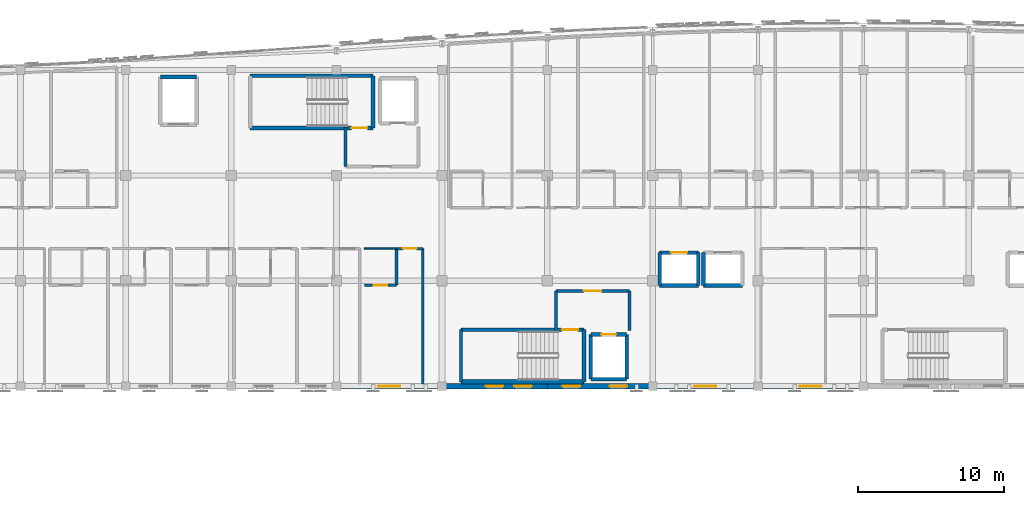
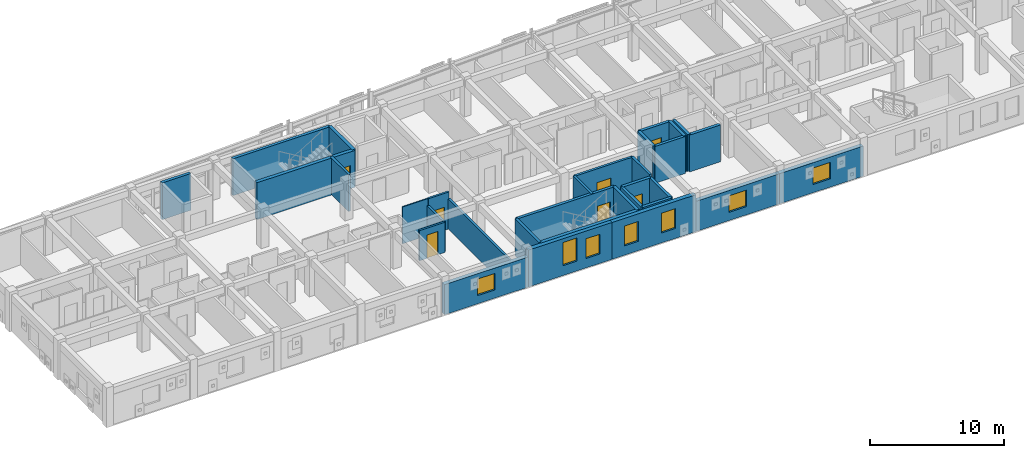
# One storey, part 39 of 50: 32 walls, 7 doors, 7 windows, 14 openings.
"""IFC4 building model written with IfcOpenShell, lengths in metres."""

from ifc_helpers import new_model, si_unit, direction, frame, frame_2d, origin, place, context, subcontext, project, spatial, rectangle, extrude, material, layer, layer_set, type_object, element, fill, save


model = new_model("IFC4")

# Units and contexts
model_context = context("Model", 3, precision=1e-05, world=origin(), true_north=direction((0.0, 1.0)))
body_context = subcontext(model_context, "Body", "Model", "MODEL_VIEW")
ifc_project = project(units=[si_unit("LENGTHUNIT", "METRE"), si_unit("AREAUNIT", "SQUARE_METRE"), si_unit("VOLUMEUNIT", "CUBIC_METRE"), si_unit("PLANEANGLEUNIT", "RADIAN"), si_unit("MASSUNIT", "GRAM", prefix="KILO")], contexts=[model_context])

# Site, building, storey
site_placement = place(None, origin())
site = spatial("IfcSite", under=ifc_project, at=site_placement, CompositionType="ELEMENT")
building_placement = place(site_placement, origin())
building = spatial("IfcBuilding", under=site, at=building_placement, Name="Carrowvane Square Congress Hotel", CompositionType="ELEMENT")
storey_placement = place(building_placement, frame((0.0, 0.0, 22.800048828125)))
storey = spatial("IfcBuildingStorey", under=building, at=storey_placement, Name="L05", CompositionType="ELEMENT", Elevation=22.800048828125)

# Wall, opening, window
ifc_material_1 = material(Name="Glazed terracotta rainscreen", Category="masonry")
ifc_layer_1 = layer(ifc_material_1, 0.360107421875)
ifc_layer_set_1 = layer_set([ifc_layer_1], Name="Glazed terracotta rainscreen")
wall_type_1 = type_object("IfcWallType", Name="WL-EXT-TC360", PredefinedType="STANDARD", material=ifc_layer_set_1)
wall_1_placement = place(storey_placement, frame((98.0, 91.800048828125, 0.0), z_axis=(0.0, 0.0, 1.0), x_axis=(-1.0, 0.0, 0.0)))
wall_1 = element("IfcWall", 1, at=wall_1_placement, inside=storey, type_object=wall_type_1, Name="L05 exterior facade wall 467", PredefinedType="STANDARD", context=body_context, shape_type="SweptSolid", body=[
    extrude(rectangle(XDim=7.199951171875, YDim=0.360107421875, at=frame_2d((3.60009765625, 0.0))), origin(), (0.0, 0.0, 1.0), 2.73486328125),
])
opening_1_placement = place(wall_1_placement, frame((2.85009765625, 0.0, 0.75)))
opening_1 = element("IfcOpeningElement", 2, at=opening_1_placement, cuts=wall_1, Name="Opening W-15", PredefinedType="OPENING", context=body_context, shape_type="SweptSolid", body=[
    extrude(rectangle(XDim=1.5, YDim=1.5, at=frame_2d((0.75, 0.75))), frame((0.0, 0.18994140625, 0.0), z_axis=(0.0, -1.0, 0.0), x_axis=(1.0, 0.0, 0.0)), (0.0, 0.0, 1.0), 0.380126953125),
])
ifc_material_2 = material(Name="Double-glazed low-E glass", Category="glass")
window_type_1 = type_object("IfcWindowType", Name="WIN-15", PartitioningType="SINGLE_PANEL", PredefinedType="WINDOW", material=ifc_material_2)
window_1_placement = place(opening_1_placement, origin())
window_1 = element("IfcWindow", 3, at=window_1_placement, inside=storey, type_object=window_type_1, Name="L05 facade window 298", OverallHeight=1.5, OverallWidth=1.5, PartitioningType="SINGLE_PANEL", PredefinedType="WINDOW", context=body_context, shape_type="SweptSolid", body=[
    extrude(rectangle(XDim=1.5, YDim=1.5, at=frame_2d((0.75, 0.75))), frame((0.0, 0.030029296875, 0.0), z_axis=(0.0, -1.0, 0.0), x_axis=(1.0, 0.0, 0.0)), (0.0, 0.0, 1.0), 0.06005859375),
])
fill(opening_1, window_1)

wall_2_placement = place(storey_placement, frame((90.800048828125, 91.800048828125, 0.0), z_axis=(0.0, 0.0, 1.0), x_axis=(-1.0, 0.0, 0.0)))
wall_2 = element("IfcWall", 4, at=wall_2_placement, inside=storey, type_object=wall_type_1, Name="L05 exterior facade wall 468", PredefinedType="STANDARD", context=body_context, shape_type="SweptSolid", body=[
    extrude(rectangle(XDim=7.199951171875, YDim=0.360107421875, at=frame_2d((3.60009765625, 0.0))), origin(), (0.0, 0.0, 1.0), 2.73486328125),
])
opening_2_placement = place(wall_2_placement, frame((2.85009765625, 0.0, 0.75)))
opening_2 = element("IfcOpeningElement", 5, at=opening_2_placement, cuts=wall_2, Name="Opening W-15", PredefinedType="OPENING", context=body_context, shape_type="SweptSolid", body=[
    extrude(rectangle(XDim=1.5, YDim=1.5, at=frame_2d((0.75, 0.75))), frame((0.0, 0.18994140625, 0.0), z_axis=(0.0, -1.0, 0.0), x_axis=(1.0, 0.0, 0.0)), (0.0, 0.0, 1.0), 0.380126953125),
])
window_2_placement = place(opening_2_placement, origin())
window_2 = element("IfcWindow", 6, at=window_2_placement, inside=storey, type_object=window_type_1, Name="L05 facade window 299", OverallHeight=1.5, OverallWidth=1.5, PartitioningType="SINGLE_PANEL", PredefinedType="WINDOW", context=body_context, shape_type="SweptSolid", body=[
    extrude(rectangle(XDim=1.5, YDim=1.5, at=frame_2d((0.75, 0.75))), frame((0.0, 0.030029296875, 0.0), z_axis=(0.0, -1.0, 0.0), x_axis=(1.0, 0.0, 0.0)), (0.0, 0.0, 1.0), 0.06005859375),
])
fill(opening_2, window_2)

# Wall, openings, windows
wall_3_placement = place(storey_placement, frame((83.60009765625, 91.800048828125, 0.0), z_axis=(0.0, 0.0, 1.0), x_axis=(-1.0, 0.0, 0.0)))
wall_3 = element("IfcWall", 7, at=wall_3_placement, inside=storey, type_object=wall_type_1, Name="L05 exterior facade wall 469", PredefinedType="STANDARD", context=body_context, shape_type="SweptSolid", body=[
    extrude(rectangle(XDim=7.2001953125, YDim=0.360107421875, at=frame_2d((3.60009765625, 0.0))), origin(), (0.0, 0.0, 1.0), 3.349853515625),
])
opening_3_placement = place(wall_3_placement, frame((1.75, 0.0, 0.89990234375)))
opening_3 = element("IfcOpeningElement", 8, at=opening_3_placement, cuts=wall_3, Name="Opening W-01", PredefinedType="OPENING", context=body_context, shape_type="SweptSolid", body=[
    extrude(rectangle(XDim=1.199951171875, YDim=1.800048828125, at=frame_2d((0.60009765625, 0.89990234375))), frame((0.0, 0.18994140625, 0.0), z_axis=(0.0, -1.0, 0.0), x_axis=(1.0, 0.0, 0.0)), (0.0, 0.0, 1.0), 0.380126953125),
])
opening_4_placement = place(wall_3_placement, frame((4.949951171875, 0.0, 0.85009765625)))
opening_4 = element("IfcOpeningElement", 9, at=opening_4_placement, cuts=wall_3, Name="Opening W-01", PredefinedType="OPENING", context=body_context, shape_type="SweptSolid", body=[
    extrude(rectangle(XDim=1.199951171875, YDim=1.800048828125, at=frame_2d((0.60009765625, 0.89990234375))), frame((0.0, 0.18994140625, 0.0), z_axis=(0.0, -1.0, 0.0), x_axis=(1.0, 0.0, 0.0)), (0.0, 0.0, 1.0), 0.380126953125),
])
ifc_material_3 = material(Name="Double-glazed low-E glass", Category="glass")
window_type_2 = type_object("IfcWindowType", Name="WIN-01", PartitioningType="SINGLE_PANEL", PredefinedType="WINDOW", material=ifc_material_3)
window_3_placement = place(opening_3_placement, origin())
window_3 = element("IfcWindow", 10, at=window_3_placement, inside=storey, type_object=window_type_2, Name="L05 facade window 300", OverallHeight=1.800048828125, OverallWidth=1.199951171875, PartitioningType="SINGLE_PANEL", PredefinedType="WINDOW", context=body_context, shape_type="SweptSolid", body=[
    extrude(rectangle(XDim=1.199951171875, YDim=1.800048828125, at=frame_2d((0.60009765625, 0.89990234375))), frame((0.0, 0.030029296875, 0.0), z_axis=(0.0, -1.0, 0.0), x_axis=(1.0, 0.0, 0.0)), (0.0, 0.0, 1.0), 0.06005859375),
])
fill(opening_3, window_3)
window_4_placement = place(opening_4_placement, origin())
window_4 = element("IfcWindow", 11, at=window_4_placement, inside=storey, type_object=window_type_2, Name="L05 guest bedroom window 301", OverallHeight=1.800048828125, OverallWidth=1.199951171875, PartitioningType="SINGLE_PANEL", PredefinedType="WINDOW", context=body_context, shape_type="SweptSolid", body=[
    extrude(rectangle(XDim=1.199951171875, YDim=1.800048828125, at=frame_2d((0.60009765625, 0.89990234375))), frame((0.0, 0.030029296875, 0.0), z_axis=(0.0, -1.0, 0.0), x_axis=(1.0, 0.0, 0.0)), (0.0, 0.0, 1.0), 0.06005859375),
])
fill(opening_4, window_4)

wall_4_placement = place(storey_placement, frame((76.39990234375, 91.800048828125, 0.0), z_axis=(0.0, 0.0, 1.0), x_axis=(-1.0, 0.0, 0.0)))
wall_4 = element("IfcWall", 12, at=wall_4_placement, inside=storey, type_object=wall_type_1, Name="L05 exterior facade wall 470", PredefinedType="STANDARD", context=body_context, shape_type="SweptSolid", body=[
    extrude(rectangle(XDim=7.199951171875, YDim=0.360107421875, at=frame_2d((3.60009765625, 0.0))), origin(), (0.0, 0.0, 1.0), 3.349853515625),
])
opening_5_placement = place(wall_4_placement, frame((3.0, 0.0, 0.89990234375)))
opening_5 = element("IfcOpeningElement", 13, at=opening_5_placement, cuts=wall_4, Name="Opening W-08", PredefinedType="OPENING", context=body_context, shape_type="SweptSolid", body=[
    extrude(rectangle(XDim=1.199951171875, YDim=2.10009765625, at=frame_2d((0.60009765625, 1.050048828125))), frame((0.0, 0.18994140625, 0.0), z_axis=(0.0, -1.0, 0.0), x_axis=(1.0, 0.0, 0.0)), (0.0, 0.0, 1.0), 0.380126953125),
])
opening_6_placement = place(wall_4_placement, frame((1.050048828125, 0.0, 0.85009765625)))
opening_6 = element("IfcOpeningElement", 14, at=opening_6_placement, cuts=wall_4, Name="Opening W-01", PredefinedType="OPENING", context=body_context, shape_type="SweptSolid", body=[
    extrude(rectangle(XDim=1.199951171875, YDim=1.800048828125, at=frame_2d((0.60009765625, 0.89990234375))), frame((0.0, 0.18994140625, 0.0), z_axis=(0.0, -1.0, 0.0), x_axis=(1.0, 0.0, 0.0)), (0.0, 0.0, 1.0), 0.380126953125),
])
window_5_placement = place(opening_6_placement, origin())
window_5 = element("IfcWindow", 15, at=window_5_placement, inside=storey, type_object=window_type_2, Name="L05 guest bedroom window 303", OverallHeight=1.800048828125, OverallWidth=1.199951171875, PartitioningType="SINGLE_PANEL", PredefinedType="WINDOW", context=body_context, shape_type="SweptSolid", body=[
    extrude(rectangle(XDim=1.199951171875, YDim=1.800048828125, at=frame_2d((0.60009765625, 0.89990234375))), frame((0.0, 0.030029296875, 0.0), z_axis=(0.0, -1.0, 0.0), x_axis=(1.0, 0.0, 0.0)), (0.0, 0.0, 1.0), 0.06005859375),
])
fill(opening_6, window_5)
ifc_material_4 = material(Name="Double-glazed low-E glass", Category="glass")
window_type_3 = type_object("IfcWindowType", Name="WIN-08", PartitioningType="SINGLE_PANEL", PredefinedType="WINDOW", material=ifc_material_4)
window_6_placement = place(opening_5_placement, origin())
window_6 = element("IfcWindow", 16, at=window_6_placement, inside=storey, type_object=window_type_3, Name="L05 facade window 302", OverallHeight=2.10009765625, OverallWidth=1.199951171875, PartitioningType="SINGLE_PANEL", PredefinedType="WINDOW", context=body_context, shape_type="SweptSolid", body=[
    extrude(rectangle(XDim=1.199951171875, YDim=2.10009765625, at=frame_2d((0.60009765625, 1.050048828125))), frame((0.0, 0.030029296875, 0.0), z_axis=(0.0, -1.0, 0.0), x_axis=(1.0, 0.0, 0.0)), (0.0, 0.0, 1.0), 0.06005859375),
])
fill(opening_5, window_6)

# Wall, opening, window
wall_5_placement = place(storey_placement, frame((69.199951171875, 91.800048828125, 0.0), z_axis=(0.0, 0.0, 1.0), x_axis=(-1.0, 0.0, 0.0)))
wall_5 = element("IfcWall", 17, at=wall_5_placement, inside=storey, type_object=wall_type_1, Name="L05 exterior facade wall 471", PredefinedType="STANDARD", context=body_context, shape_type="SweptSolid", body=[
    extrude(rectangle(XDim=7.199951171875, YDim=0.360107421875, at=frame_2d((3.60009765625, 0.0))), origin(), (0.0, 0.0, 1.0), 2.73486328125),
])
opening_7_placement = place(wall_5_placement, frame((2.85009765625, 0.0, 0.75)))
opening_7 = element("IfcOpeningElement", 18, at=opening_7_placement, cuts=wall_5, Name="Opening W-15", PredefinedType="OPENING", context=body_context, shape_type="SweptSolid", body=[
    extrude(rectangle(XDim=1.5, YDim=1.5, at=frame_2d((0.75, 0.75))), frame((0.0, 0.18994140625, 0.0), z_axis=(0.0, -1.0, 0.0), x_axis=(1.0, 0.0, 0.0)), (0.0, 0.0, 1.0), 0.380126953125),
])
window_7_placement = place(opening_7_placement, origin())
window_7 = element("IfcWindow", 19, at=window_7_placement, inside=storey, type_object=window_type_1, Name="L05 facade window 305", OverallHeight=1.5, OverallWidth=1.5, PartitioningType="SINGLE_PANEL", PredefinedType="WINDOW", context=body_context, shape_type="SweptSolid", body=[
    extrude(rectangle(XDim=1.5, YDim=1.5, at=frame_2d((0.75, 0.75))), frame((0.0, 0.030029296875, 0.0), z_axis=(0.0, -1.0, 0.0), x_axis=(1.0, 0.0, 0.0)), (0.0, 0.0, 1.0), 0.06005859375),
])
fill(opening_7, window_7)

# Wall, opening, door
ifc_material_5 = material(Name="Acoustic gypsum board", Category="gypsum")
ifc_layer_2 = layer(ifc_material_5, 0.169921875)
ifc_layer_set_2 = layer_set([ifc_layer_2], Name="Acoustic gypsum board")
wall_type_2 = type_object("IfcWallType", Name="WL-FIR-170", PredefinedType="PARTITIONING", material=ifc_layer_set_2)
wall_6_placement = place(storey_placement, frame((66.10009765625, 98.699951171875, 0.0), z_axis=(0.0, 0.0, 1.0), x_axis=(-1.0, 0.0, 0.0)))
wall_6 = element("IfcWall", 20, at=wall_6_placement, inside=storey, type_object=wall_type_2, Name="L05 En-suite Bathroom 0506 partition", PredefinedType="PARTITIONING", context=body_context, shape_type="SweptSolid", body=[
    extrude(rectangle(XDim=2.2001953125, YDim=0.169921875, at=frame_2d((1.10009765625, 0.0))), origin(), (0.0, 0.0, 1.0), 2.73486328125),
])
opening_8_placement = place(wall_6_placement, frame((0.6298828125, 0.0, 0.0)))
opening_8 = element("IfcOpeningElement", 21, at=opening_8_placement, cuts=wall_6, Name="Opening ID-04", PredefinedType="OPENING", context=body_context, shape_type="SweptSolid", body=[
    extrude(rectangle(XDim=0.93994140625, YDim=2.1201171875, at=frame_2d((0.469970703125, 1.06005859375))), frame((0.0, 0.094970703125, 0.0), z_axis=(0.0, -1.0, 0.0), x_axis=(1.0, 0.0, 0.0)), (0.0, 0.0, 1.0), 0.18994140625),
])
ifc_material_6 = material(Name="European oak timber", Category="wood")
door_type_1 = type_object("IfcDoorType", Name="DR-INT-0940x2120", OperationType="NOTDEFINED", PredefinedType="DOOR", material=ifc_material_6)
door_1_placement = place(opening_8_placement, origin())
door_1 = element("IfcDoor", 22, at=door_1_placement, inside=storey, type_object=door_type_1, Name="L05 En-suite Bathroom 0506 door", OperationType="SINGLE_SWING_LEFT", OverallHeight=2.1201171875, OverallWidth=0.93994140625, PredefinedType="DOOR", context=body_context, shape_type="SweptSolid", body=[
    extrude(rectangle(XDim=0.93994140625, YDim=2.1201171875, at=frame_2d((0.469970703125, 1.06005859375))), frame((0.0, 0.02490234375, 0.0), z_axis=(0.0, -1.0, 0.0), x_axis=(1.0, 0.0, 0.0)), (0.0, 0.0, 1.0), 0.050048828125),
])
fill(opening_8, door_1)

wall_7_placement = place(storey_placement, frame((66.110107421875, 101.199951171875, 0.0), z_axis=(0.0, 0.0, 1.0), x_axis=(1.0, 0.0, 0.0)))
wall_7 = element("IfcWall", 23, at=wall_7_placement, inside=storey, type_object=wall_type_2, Name="L05 Hotel Guest Bedroom 0506 partition", PredefinedType="PARTITIONING", context=body_context, shape_type="SweptSolid", body=[
    extrude(rectangle(XDim=1.77978515625, YDim=0.169921875, at=frame_2d((0.889892578125, 0.0))), origin(), (0.0, 0.0, 1.0), 3.349853515625),
])
opening_9_placement = place(wall_7_placement, frame((0.4150390625, 0.0, 0.0)))
opening_9 = element("IfcOpeningElement", 24, at=opening_9_placement, cuts=wall_7, Name="Opening FD-06", PredefinedType="OPENING", context=body_context, shape_type="SweptSolid", body=[
    extrude(rectangle(XDim=0.949951171875, YDim=2.10009765625, at=frame_2d((0.47509765625, 1.050048828125))), frame((0.0, 0.094970703125, 0.0), z_axis=(0.0, -1.0, 0.0), x_axis=(1.0, 0.0, 0.0)), (0.0, 0.0, 1.0), 0.18994140625),
])
ifc_material_7 = material(Name="European oak timber", Category="wood")
door_type_2 = type_object("IfcDoorType", Name="DR-FD30-0950x2100", OperationType="NOTDEFINED", PredefinedType="DOOR", material=ifc_material_7)
door_2_placement = place(opening_9_placement, origin())
door_2 = element("IfcDoor", 25, at=door_2_placement, inside=storey, type_object=door_type_2, Name="L05 Hotel Guest Bedroom 0506 entrance door", OperationType="SINGLE_SWING_RIGHT", OverallHeight=2.10009765625, OverallWidth=0.949951171875, PredefinedType="DOOR", context=body_context, shape_type="SweptSolid", body=[
    extrude(rectangle(XDim=0.949951171875, YDim=2.10009765625, at=frame_2d((0.47509765625, 1.050048828125))), frame((0.0, 0.02490234375, 0.0), z_axis=(0.0, -1.0, 0.0), x_axis=(1.0, 0.0, 0.0)), (0.0, 0.0, 1.0), 0.050048828125),
])
fill(opening_9, door_2)

# Walls
ifc_material_8 = material(Name="Acoustic gypsum board", Category="gypsum")
ifc_layer_3 = layer(ifc_material_8, 0.18505859375)
ifc_layer_set_3 = layer_set([ifc_layer_3], Name="Acoustic gypsum board")
wall_type_3 = type_object("IfcWallType", Name="WL-FIR-185", PredefinedType="PARTITIONING", material=ifc_layer_set_3)
wall_8_placement = place(storey_placement, frame((66.10009765625, 101.199951171875, 0.0), z_axis=(0.0, 0.0, 1.0), x_axis=(0.0, -1.0, 0.0)))
element("IfcWall", 26, at=wall_8_placement, inside=storey, type_object=wall_type_3, Name="L05 En-suite Bathroom 0506 partition", PredefinedType="PARTITIONING", context=body_context, shape_type="SweptSolid", body=[
    extrude(rectangle(XDim=2.5, YDim=0.18505859375, at=frame_2d((1.25, 0.0))), origin(), (0.0, 0.0, 1.0), 2.73486328125),
])
wall_9_placement = place(storey_placement, frame((67.889892578125, 101.199951171875, 0.0), z_axis=(0.0, 0.0, 1.0), x_axis=(0.0, -1.0, 0.0)))
element("IfcWall", 27, at=wall_9_placement, inside=storey, type_object=wall_type_3, Name="L05 Hotel Guest Bedroom 0506 partition", PredefinedType="PARTITIONING", context=body_context, shape_type="SweptSolid", body=[
    extrude(rectangle(XDim=9.239990234375, YDim=0.18505859375, at=frame_2d((4.6201171875, 0.0))), origin(), (0.0, 0.0, 1.0), 2.73486328125),
])
ifc_material_9 = material(Name="Acoustic gypsum board", Category="gypsum")
ifc_layer_4 = layer(ifc_material_9, 0.205078125)
ifc_layer_set_4 = layer_set([ifc_layer_4], Name="Acoustic gypsum board")
wall_type_4 = type_object("IfcWallType", Name="WL-FIR-205", PredefinedType="PARTITIONING", material=ifc_layer_set_4)
for number, where, z_axis, x_axis, name in (
    (28, (62.60009765625, 109.5, 0.0), (0.0, 0.0, 1.0), (0.0, -1.0, 0.0), "L05 Firefighting Lobby C1 wall west"),
    (29, (82.0, 95.60009765625, 0.0), (0.0, 0.0, 1.0), (0.0, 1.0, 0.0), "L05 Firefighting Lobby C2 wall east"),
):
    element("IfcWall", number, at=place(storey_placement, frame(where, z_axis=z_axis, x_axis=x_axis)), inside=storey, type_object=wall_type_4, Name=name, PredefinedType="PARTITIONING", context=body_context, shape_type="SweptSolid", body=[
        extrude(rectangle(XDim=2.699951171875, YDim=0.205078125, at=frame_2d((1.35009765625, 0.0))), origin(), (0.0, 0.0, 1.0), 3.349853515625),
    ])

# Wall, opening, door
wall_10_placement = place(storey_placement, frame((82.0, 98.300048828125, 0.0), z_axis=(0.0, 0.0, 1.0), x_axis=(-1.0, 0.0, 0.0)))
wall_10 = element("IfcWall", 30, at=wall_10_placement, inside=storey, type_object=wall_type_4, Name="L05 Firefighting Lobby C2 wall north", PredefinedType="PARTITIONING", context=body_context, shape_type="SweptSolid", body=[
    extrude(rectangle(XDim=5.0, YDim=0.205078125, at=frame_2d((2.5, 0.0))), origin(), (0.0, 0.0, 1.0), 3.349853515625),
])
opening_10_placement = place(wall_10_placement, frame((1.89990234375, 0.0, 0.0)))
opening_10 = element("IfcOpeningElement", 31, at=opening_10_placement, cuts=wall_10, Name="Opening FD-02", PredefinedType="OPENING", context=body_context, shape_type="SweptSolid", body=[
    extrude(rectangle(XDim=1.199951171875, YDim=2.10009765625, at=frame_2d((0.60009765625, 1.050048828125))), frame((0.0, 0.112548828125, 0.0), z_axis=(0.0, -1.0, 0.0), x_axis=(1.0, 0.0, 0.0)), (0.0, 0.0, 1.0), 0.22509765625),
])
ifc_material_10 = material(Name="European oak timber", Category="wood")
door_type_3 = type_object("IfcDoorType", Name="DR-FD60-1200x2100", OperationType="NOTDEFINED", PredefinedType="DOOR", material=ifc_material_10)
door_3_placement = place(opening_10_placement, origin())
door_3 = element("IfcDoor", 32, at=door_3_placement, inside=storey, type_object=door_type_3, Name="L05 Firefighting Lobby C2 entrance door", OperationType="SINGLE_SWING_LEFT", OverallHeight=2.10009765625, OverallWidth=1.199951171875, PredefinedType="DOOR", context=body_context, shape_type="SweptSolid", body=[
    extrude(rectangle(XDim=1.199951171875, YDim=2.10009765625, at=frame_2d((0.60009765625, 1.050048828125))), frame((0.0, 0.02490234375, 0.0), z_axis=(0.0, -1.0, 0.0), x_axis=(1.0, 0.0, 0.0)), (0.0, 0.0, 1.0), 0.050048828125),
])
fill(opening_10, door_3)

# Walls
wall_11_placement = place(storey_placement, frame((77.0, 98.300048828125, 0.0), z_axis=(0.0, 0.0, 1.0), x_axis=(0.0, -1.0, 0.0)))
element("IfcWall", 33, at=wall_11_placement, inside=storey, type_object=wall_type_4, Name="L05 Firefighting Lobby C2 wall west", PredefinedType="PARTITIONING", context=body_context, shape_type="SweptSolid", body=[
    extrude(rectangle(XDim=2.699951171875, YDim=0.205078125, at=frame_2d((1.35009765625, 0.0))), origin(), (0.0, 0.0, 1.0), 3.349853515625),
])
ifc_material_11 = material(Name="Acoustic gypsum board", Category="gypsum")
ifc_layer_5 = layer(ifc_material_11, 0.097900390625)
ifc_layer_set_5 = layer_set([ifc_layer_5], Name="Acoustic gypsum board")
wall_type_5 = type_object("IfcWallType", Name="WL-PRT-098", PredefinedType="PARTITIONING", material=ifc_layer_set_5)
wall_12_placement = place(storey_placement, frame((63.89990234375, 101.199951171875, 0.0), z_axis=(0.0, 0.0, 1.0), x_axis=(1.0, 0.0, 0.0)))
element("IfcWall", 34, at=wall_12_placement, inside=storey, type_object=wall_type_5, Name="L05 En-suite Bathroom 0506 partition", PredefinedType="PARTITIONING", context=body_context, shape_type="SweptSolid", body=[
    extrude(rectangle(XDim=2.2001953125, YDim=0.097900390625, at=frame_2d((1.10009765625, 0.0))), origin(), (0.0, 0.0, 1.0), 3.349853515625),
])
ifc_material_12 = material(Name="Concrete C40/50", Category="concrete")
ifc_layer_6 = layer(ifc_material_12, 0.22509765625)
ifc_layer_set_6 = layer_set([ifc_layer_6], Name="Concrete C40/50")
wall_type_6 = type_object("IfcWallType", Name="WL-SHR-225", PredefinedType="SHEAR", material=ifc_layer_set_6)
wall_13_placement = place(storey_placement, frame((70.5, 95.659912109375, 0.0), z_axis=(0.0, 0.0, 1.0), x_axis=(0.0, -1.0, 0.0)))
element("IfcWall", 35, at=wall_13_placement, inside=storey, type_object=wall_type_6, Name="L05 ST2 core wall west", PredefinedType="SHEAR", context=body_context, shape_type="SweptSolid", body=[
    extrude(rectangle(XDim=3.559814453125, YDim=0.22509765625, at=frame_2d((1.77978515625, 0.0))), origin(), (0.0, 0.0, 1.0), 3.349853515625),
])
ifc_material_13 = material(Name="Concrete C40/50", Category="concrete")
ifc_layer_7 = layer(ifc_material_13, 0.25)
ifc_layer_set_7 = layer_set([ifc_layer_7], Name="Concrete C40/50")
wall_type_7 = type_object("IfcWallType", Name="WL-SHR-250", PredefinedType="SHEAR", material=ifc_layer_set_7)
wall_14_placement = place(storey_placement, frame((64.5, 113.0, 0.0), z_axis=(0.0, 0.0, 1.0), x_axis=(-1.0, 0.0, 0.0)))
element("IfcWall", 36, at=wall_14_placement, inside=storey, type_object=wall_type_7, Name="L05 ST1 core wall north", PredefinedType="SHEAR", context=body_context, shape_type="SweptSolid", body=[
    extrude(rectangle(XDim=8.39990234375, YDim=0.25, at=frame_2d((4.199951171875, 0.0))), origin(), (0.0, 0.0, 1.0), 3.349853515625),
])

# Wall, opening, door
wall_15_placement = place(storey_placement, frame((78.89990234375, 95.659912109375, 0.0), z_axis=(0.0, 0.0, 1.0), x_axis=(-1.0, 0.0, 0.0)))
wall_15 = element("IfcWall", 37, at=wall_15_placement, inside=storey, type_object=wall_type_7, Name="L05 ST2 core wall north", PredefinedType="SHEAR", context=body_context, shape_type="SweptSolid", body=[
    extrude(rectangle(XDim=8.39990234375, YDim=0.25, at=frame_2d((4.199951171875, 0.0))), origin(), (0.0, 0.0, 1.0), 3.349853515625),
])
opening_11_placement = place(wall_15_placement, frame((0.389892578125, 0.0, 0.0)))
opening_11 = element("IfcOpeningElement", 38, at=opening_11_placement, cuts=wall_15, Name="Opening FD-01", PredefinedType="OPENING", context=body_context, shape_type="SweptSolid", body=[
    extrude(rectangle(XDim=1.10009765625, YDim=2.10009765625, at=frame_2d((0.550048828125, 1.050048828125))), frame((0.0, 0.135009765625, 0.0), z_axis=(0.0, -1.0, 0.0), x_axis=(1.0, 0.0, 0.0)), (0.0, 0.0, 1.0), 0.27001953125),
])
ifc_material_14 = material(Name="European oak timber", Category="wood")
door_type_4 = type_object("IfcDoorType", Name="DR-FD60-1100x2100", OperationType="NOTDEFINED", PredefinedType="DOOR", material=ifc_material_14)
door_4_placement = place(opening_11_placement, origin())
door_4 = element("IfcDoor", 39, at=door_4_placement, inside=storey, type_object=door_type_4, Name="L05 ST2 fire door", OperationType="SINGLE_SWING_RIGHT", OverallHeight=2.10009765625, OverallWidth=1.10009765625, PredefinedType="DOOR", context=body_context, shape_type="SweptSolid", body=[
    extrude(rectangle(XDim=1.10009765625, YDim=2.10009765625, at=frame_2d((0.550048828125, 1.050048828125))), frame((0.0, 0.02490234375, 0.0), z_axis=(0.0, -1.0, 0.0), x_axis=(1.0, 0.0, 0.0)), (0.0, 0.0, 1.0), 0.050048828125),
])
fill(opening_11, door_4)

# Walls
wall_16_placement = place(storey_placement, frame((79.375, 92.27490234375, 0.0), z_axis=(0.0, 0.0, 1.0), x_axis=(1.0, 0.0, 0.0)))
element("IfcWall", 40, at=wall_16_placement, inside=storey, type_object=wall_type_7, Name="L05 FFL-2 shaft wall south", PredefinedType="SHEAR", context=body_context, shape_type="SweptSolid", body=[
    extrude(rectangle(XDim=2.449951171875, YDim=0.25, at=frame_2d((1.22509765625, 0.0))), origin(), (0.0, 0.0, 1.0), 3.349853515625),
])
wall_17_placement = place(storey_placement, frame((81.824951171875, 92.27490234375, 0.0), z_axis=(0.0, 0.0, 1.0), x_axis=(0.0, 1.0, 0.0)))
element("IfcWall", 41, at=wall_17_placement, inside=storey, type_object=wall_type_7, Name="L05 FFL-2 shaft wall east", PredefinedType="SHEAR", context=body_context, shape_type="SweptSolid", body=[
    extrude(rectangle(XDim=3.050048828125, YDim=0.25, at=frame_2d((1.52490234375, 0.0))), origin(), (0.0, 0.0, 1.0), 3.349853515625),
])

# Wall, opening, door
wall_18_placement = place(storey_placement, frame((81.824951171875, 95.324951171875, 0.0), z_axis=(0.0, 0.0, 1.0), x_axis=(-1.0, 0.0, 0.0)))
wall_18 = element("IfcWall", 42, at=wall_18_placement, inside=storey, type_object=wall_type_7, Name="L05 FFL-2 shaft wall north", PredefinedType="SHEAR", context=body_context, shape_type="SweptSolid", body=[
    extrude(rectangle(XDim=2.449951171875, YDim=0.25, at=frame_2d((1.22509765625, 0.0))), origin(), (0.0, 0.0, 1.0), 3.349853515625),
])
opening_12_placement = place(wall_18_placement, frame((0.72509765625, 0.0, 0.0)))
opening_12 = element("IfcOpeningElement", 43, at=opening_12_placement, cuts=wall_18, Name="Opening LD-FFL-2", PredefinedType="OPENING", context=body_context, shape_type="SweptSolid", body=[
    extrude(rectangle(XDim=1.0, YDim=2.14990234375, at=frame_2d((0.5, 1.074951171875))), frame((0.0, 0.135009765625, 0.0), z_axis=(0.0, -1.0, 0.0), x_axis=(1.0, 0.0, 0.0)), (0.0, 0.0, 1.0), 0.27001953125),
])
ifc_material_15 = material(Name="Stainless steel 316", Category="steel")
door_type_5 = type_object("IfcDoorType", Name="DR-LD-1000x2150", OperationType="DOUBLE_DOOR_SLIDING", PredefinedType="DOOR", material=ifc_material_15)
door_5_placement = place(opening_12_placement, origin())
door_5 = element("IfcDoor", 44, at=door_5_placement, inside=storey, type_object=door_type_5, Name="L05 FFL-2 sliding lift landing door", OperationType="DOUBLE_DOOR_SLIDING", OverallHeight=2.14990234375, OverallWidth=1.0, PredefinedType="DOOR", context=body_context, shape_type="SweptSolid", body=[
    extrude(rectangle(XDim=1.0, YDim=2.14990234375, at=frame_2d((0.5, 1.074951171875))), frame((0.0, 0.02490234375, 0.0), z_axis=(0.0, -1.0, 0.0), x_axis=(1.0, 0.0, 0.0)), (0.0, 0.0, 1.0), 0.050048828125),
])
fill(opening_12, door_5)

# Walls
wall_19_placement = place(storey_placement, frame((79.375, 95.324951171875, 0.0), z_axis=(0.0, 0.0, 1.0), x_axis=(0.0, -1.0, 0.0)))
element("IfcWall", 45, at=wall_19_placement, inside=storey, type_object=wall_type_7, Name="L05 FFL-2 shaft wall west", PredefinedType="SHEAR", context=body_context, shape_type="SweptSolid", body=[
    extrude(rectangle(XDim=3.050048828125, YDim=0.25, at=frame_2d((1.52490234375, 0.0))), origin(), (0.0, 0.0, 1.0), 3.349853515625),
])
wall_20_placement = place(storey_placement, frame((84.074951171875, 98.675048828125, 0.0), z_axis=(0.0, 0.0, 1.0), x_axis=(1.0, 0.0, 0.0)))
element("IfcWall", 46, at=wall_20_placement, inside=storey, type_object=wall_type_7, Name="L05 HL-1 shaft wall south", PredefinedType="SHEAR", context=body_context, shape_type="SweptSolid", body=[
    extrude(rectangle(XDim=2.650146484375, YDim=0.25, at=frame_2d((1.3251953125, 0.0))), origin(), (0.0, 0.0, 1.0), 3.349853515625),
])
wall_21_placement = place(storey_placement, frame((86.72509765625, 98.675048828125, 0.0), z_axis=(0.0, 0.0, 1.0), x_axis=(0.0, 1.0, 0.0)))
element("IfcWall", 47, at=wall_21_placement, inside=storey, type_object=wall_type_7, Name="L05 HL-1 shaft wall east", PredefinedType="SHEAR", context=body_context, shape_type="SweptSolid", body=[
    extrude(rectangle(XDim=2.25, YDim=0.25, at=frame_2d((1.125, 0.0))), origin(), (0.0, 0.0, 1.0), 3.349853515625),
])

# Wall, opening, door
wall_22_placement = place(storey_placement, frame((86.72509765625, 100.925048828125, 0.0), z_axis=(0.0, 0.0, 1.0), x_axis=(-1.0, 0.0, 0.0)))
wall_22 = element("IfcWall", 48, at=wall_22_placement, inside=storey, type_object=wall_type_7, Name="L05 HL-1 shaft wall north", PredefinedType="SHEAR", context=body_context, shape_type="SweptSolid", body=[
    extrude(rectangle(XDim=2.650146484375, YDim=0.25, at=frame_2d((1.3251953125, 0.0))), origin(), (0.0, 0.0, 1.0), 3.349853515625),
])
opening_13_placement = place(wall_22_placement, frame((0.77490234375, 0.0, 0.0)))
opening_13 = element("IfcOpeningElement", 49, at=opening_13_placement, cuts=wall_22, Name="Opening LD-HL-1", PredefinedType="OPENING", context=body_context, shape_type="SweptSolid", body=[
    extrude(rectangle(XDim=1.10009765625, YDim=2.14990234375, at=frame_2d((0.550048828125, 1.074951171875))), frame((0.0, 0.135009765625, 0.0), z_axis=(0.0, -1.0, 0.0), x_axis=(1.0, 0.0, 0.0)), (0.0, 0.0, 1.0), 0.27001953125),
])
ifc_material_16 = material(Name="Stainless steel 316", Category="steel")
door_type_6 = type_object("IfcDoorType", Name="DR-LD-1100x2150", OperationType="DOUBLE_DOOR_SLIDING", PredefinedType="DOOR", material=ifc_material_16)
door_6_placement = place(opening_13_placement, origin())
door_6 = element("IfcDoor", 50, at=door_6_placement, inside=storey, type_object=door_type_6, Name="L05 HL-1 sliding lift landing door", OperationType="DOUBLE_DOOR_SLIDING", OverallHeight=2.14990234375, OverallWidth=1.10009765625, PredefinedType="DOOR", context=body_context, shape_type="SweptSolid", body=[
    extrude(rectangle(XDim=1.10009765625, YDim=2.14990234375, at=frame_2d((0.550048828125, 1.074951171875))), frame((0.0, 0.02490234375, 0.0), z_axis=(0.0, -1.0, 0.0), x_axis=(1.0, 0.0, 0.0)), (0.0, 0.0, 1.0), 0.050048828125),
])
fill(opening_13, door_6)

# Walls
wall_23_placement = place(storey_placement, frame((84.074951171875, 100.925048828125, 0.0), z_axis=(0.0, 0.0, 1.0), x_axis=(0.0, -1.0, 0.0)))
element("IfcWall", 51, at=wall_23_placement, inside=storey, type_object=wall_type_7, Name="L05 HL-1 shaft wall west", PredefinedType="SHEAR", context=body_context, shape_type="SweptSolid", body=[
    extrude(rectangle(XDim=2.25, YDim=0.25, at=frame_2d((1.125, 0.0))), origin(), (0.0, 0.0, 1.0), 3.349853515625),
])
wall_24_placement = place(storey_placement, frame((87.074951171875, 98.675048828125, 0.0), z_axis=(0.0, 0.0, 1.0), x_axis=(1.0, 0.0, 0.0)))
element("IfcWall", 52, at=wall_24_placement, inside=storey, type_object=wall_type_7, Name="L05 HL-2 shaft wall south", PredefinedType="SHEAR", context=body_context, shape_type="SweptSolid", body=[
    extrude(rectangle(XDim=2.650146484375, YDim=0.25, at=frame_2d((1.3251953125, 0.0))), origin(), (0.0, 0.0, 1.0), 3.349853515625),
])
wall_25_placement = place(storey_placement, frame((87.074951171875, 100.925048828125, 0.0), z_axis=(0.0, 0.0, 1.0), x_axis=(0.0, -1.0, 0.0)))
element("IfcWall", 53, at=wall_25_placement, inside=storey, type_object=wall_type_7, Name="L05 HL-2 shaft wall west", PredefinedType="SHEAR", context=body_context, shape_type="SweptSolid", body=[
    extrude(rectangle(XDim=2.25, YDim=0.25, at=frame_2d((1.125, 0.0))), origin(), (0.0, 0.0, 1.0), 3.349853515625),
])
wall_26_placement = place(storey_placement, frame((52.425048828125, 112.925048828125, 0.0), z_axis=(0.0, 0.0, 1.0), x_axis=(-1.0, 0.0, 0.0)))
element("IfcWall", 54, at=wall_26_placement, inside=storey, type_object=wall_type_7, Name="L05 SL-1 shaft wall north", PredefinedType="SHEAR", context=body_context, shape_type="SweptSolid", body=[
    extrude(rectangle(XDim=2.449951171875, YDim=0.25, at=frame_2d((1.22509765625, 0.0))), origin(), (0.0, 0.0, 1.0), 3.349853515625),
])
ifc_material_17 = material(Name="Concrete C40/50", Category="concrete")
ifc_layer_8 = layer(ifc_material_17, 0.27490234375)
ifc_layer_set_8 = layer_set([ifc_layer_8], Name="Concrete C40/50")
wall_type_8 = type_object("IfcWallType", Name="WL-SHR-275", PredefinedType="SHEAR", material=ifc_layer_set_8)
wall_27_placement = place(storey_placement, frame((64.5, 109.43994140625, 0.0), z_axis=(0.0, 0.0, 1.0), x_axis=(0.0, 1.0, 0.0)))
element("IfcWall", 55, at=wall_27_placement, inside=storey, type_object=wall_type_8, Name="L05 ST1 core wall east", PredefinedType="SHEAR", context=body_context, shape_type="SweptSolid", body=[
    extrude(rectangle(XDim=3.56005859375, YDim=0.27490234375, at=frame_2d((1.780029296875, 0.0))), origin(), (0.0, 0.0, 1.0), 3.349853515625),
])
wall_28_placement = place(storey_placement, frame((78.89990234375, 92.10009765625, 0.0), z_axis=(0.0, 0.0, 1.0), x_axis=(0.0, 1.0, 0.0)))
element("IfcWall", 56, at=wall_28_placement, inside=storey, type_object=wall_type_8, Name="L05 ST2 core wall east", PredefinedType="SHEAR", context=body_context, shape_type="SweptSolid", body=[
    extrude(rectangle(XDim=3.559814453125, YDim=0.27490234375, at=frame_2d((1.77978515625, 0.0))), origin(), (0.0, 0.0, 1.0), 3.349853515625),
])

# Wall, opening, door
ifc_material_18 = material(Name="Concrete C40/50", Category="concrete")
ifc_layer_9 = layer(ifc_material_18, 0.300048828125)
ifc_layer_set_9 = layer_set([ifc_layer_9], Name="Concrete C40/50")
wall_type_9 = type_object("IfcWallType", Name="WL-SHR-300", PredefinedType="SHEAR", material=ifc_layer_set_9)
wall_29_placement = place(storey_placement, frame((56.10009765625, 109.43994140625, 0.0), z_axis=(0.0, 0.0, 1.0), x_axis=(1.0, 0.0, 0.0)))
wall_29 = element("IfcWall", 57, at=wall_29_placement, inside=storey, type_object=wall_type_9, Name="L05 ST1 core wall south", PredefinedType="SHEAR", context=body_context, shape_type="SweptSolid", body=[
    extrude(rectangle(XDim=8.39990234375, YDim=0.300048828125, at=frame_2d((4.199951171875, 0.0))), origin(), (0.0, 0.0, 1.0), 3.349853515625),
])
opening_14_placement = place(wall_29_placement, frame((6.909912109375, 0.0, 0.0)))
opening_14 = element("IfcOpeningElement", 58, at=opening_14_placement, cuts=wall_29, Name="Opening FD-01", PredefinedType="OPENING", context=body_context, shape_type="SweptSolid", body=[
    extrude(rectangle(XDim=1.10009765625, YDim=2.10009765625, at=frame_2d((0.550048828125, 1.050048828125))), frame((0.0, 0.159912109375, 0.0), z_axis=(0.0, -1.0, 0.0), x_axis=(1.0, 0.0, 0.0)), (0.0, 0.0, 1.0), 0.320068359375),
])
door_7_placement = place(opening_14_placement, origin())
door_7 = element("IfcDoor", 59, at=door_7_placement, inside=storey, type_object=door_type_4, Name="L05 ST1 fire door", OperationType="SINGLE_SWING_LEFT", OverallHeight=2.10009765625, OverallWidth=1.10009765625, PredefinedType="DOOR", context=body_context, shape_type="SweptSolid", body=[
    extrude(rectangle(XDim=1.10009765625, YDim=2.10009765625, at=frame_2d((0.550048828125, 1.050048828125))), frame((0.0, 0.02490234375, 0.0), z_axis=(0.0, -1.0, 0.0), x_axis=(1.0, 0.0, 0.0)), (0.0, 0.0, 1.0), 0.050048828125),
])
fill(opening_14, door_7)

# Wall
wall_30_placement = place(storey_placement, frame((70.5, 92.10009765625, 0.0), z_axis=(0.0, 0.0, 1.0), x_axis=(1.0, 0.0, 0.0)))
element("IfcWall", 60, at=wall_30_placement, inside=storey, type_object=wall_type_9, Name="L05 ST2 core wall south", PredefinedType="SHEAR", context=body_context, shape_type="SweptSolid", body=[
    extrude(rectangle(XDim=8.39990234375, YDim=0.300048828125, at=frame_2d((4.199951171875, 0.0))), origin(), (0.0, 0.0, 1.0), 3.349853515625),
])

save(model, "model.ifc")
